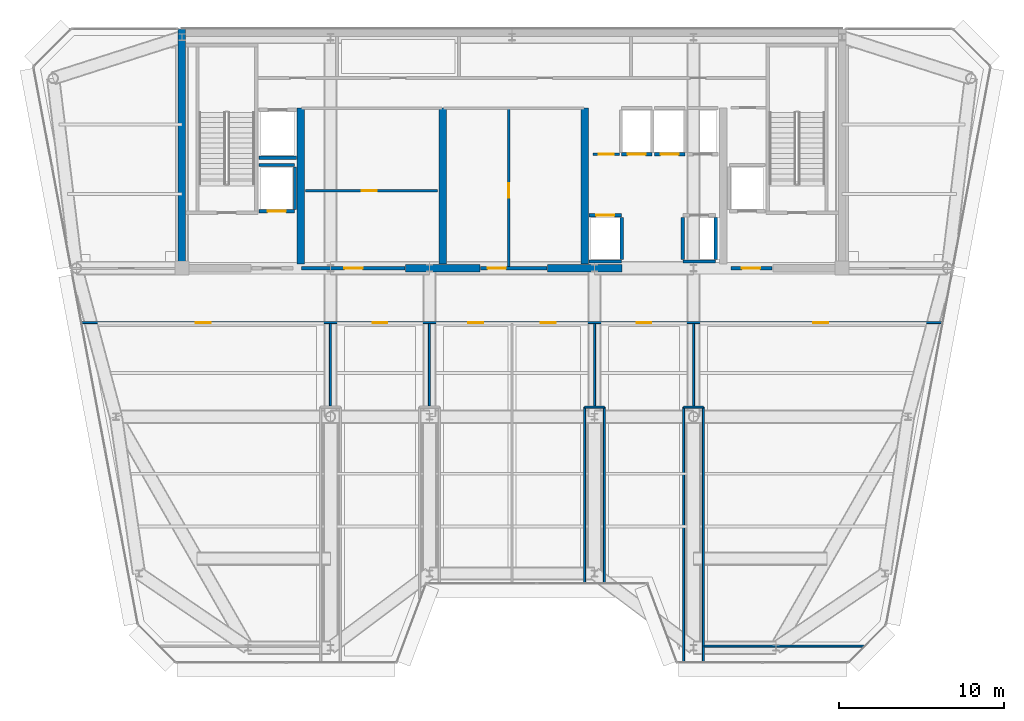
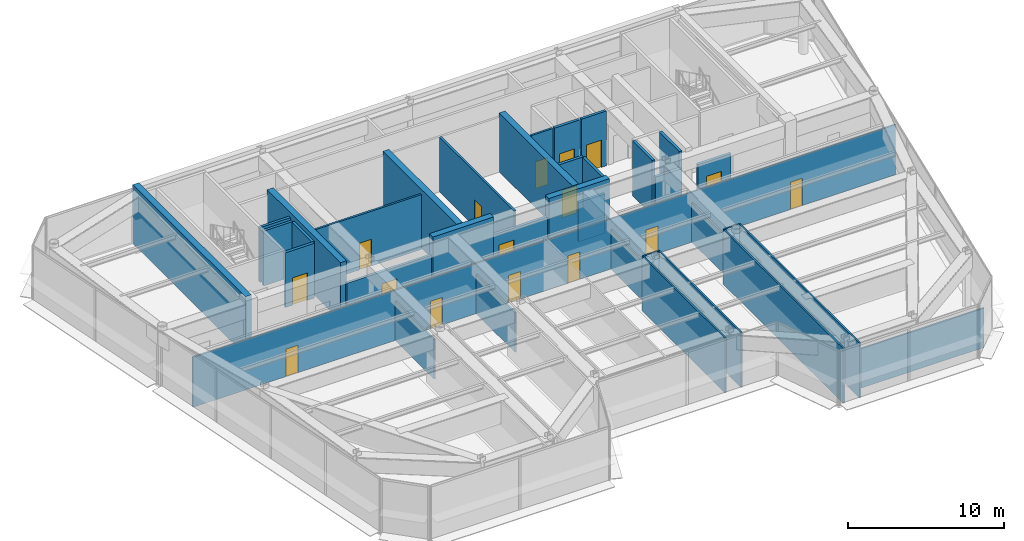
# One storey, part 11 of 20: 36 walls, 16 doors, 16 openings.
"""IFC4 building model written with IfcOpenShell, lengths in metres."""

import ifcopenshell
import ifcopenshell.guid

model = None  # the IFC model being written
_history = None  # IfcOwnerHistory: only IFC2X3 demands one
_inside = {}  # id of a spatial element -> (the spatial element, [elements in it])
_under = {}  # id of a project, library or spatial element -> (it, [spatial elements below it])
_declared = {}  # id of a project -> (the project, [libraries it declares])
_typed = {}  # id of a type object -> (the type object, [elements of that type])
_made_of = {}  # id of a material, layer set ... -> (it, [elements and type objects made of it])


def new_model(schema):
    """Start an empty IFC model of exactly this schema.

    Asked for "IFC4X3", IfcOpenShell would pick the latest addendum, in which some entities
    have other attributes; the version numbers below select the first issue.
    IFC2X3 requires an IfcOwnerHistory on every rooted entity: one is made here for all.
    """
    global model, _history
    if schema == "IFC4X3":
        model = ifcopenshell.file(schema_version=(4, 3, 0, 0))
    else:
        model = ifcopenshell.file(schema=schema)
    _inside.clear()
    _under.clear()
    _declared.clear()
    _typed.clear()
    _made_of.clear()
    _history = None
    if model.schema == "IFC2X3":
        org = make("IfcOrganization", Name="unknown")
        user = make(
            "IfcPersonAndOrganization",
            ThePerson=make("IfcPerson", FamilyName="unknown"),
            TheOrganization=org,
        )
        app = make(
            "IfcApplication",
            ApplicationDeveloper=org,
            Version="unknown",
            ApplicationFullName="unknown",
            ApplicationIdentifier="unknown",
        )
        _history = make(
            "IfcOwnerHistory",
            OwningUser=user,
            OwningApplication=app,
            ChangeAction="ADDED",
            CreationDate=0,
        )
    return model


def make(cls, **values):
    """One entity of the class cls with the attributes given. An attribute that is None is left unset."""
    return model.create_entity(
        cls, **{name: value for name, value in values.items() if value is not None}
    )


def rooted(cls, **values):
    """An entity with a GlobalId (a new one), such as an element, a storey or a relation."""
    return make(cls, GlobalId=ifcopenshell.guid.new(), OwnerHistory=_history, **values)


def si_unit(unit_type, name, prefix=None):
    """IfcSIUnit, for example si_unit("LENGTHUNIT", "METRE", prefix="MILLI")."""
    return make("IfcSIUnit", UnitType=unit_type, Prefix=prefix, Name=name)


def assignment(units):
    """IfcUnitAssignment: the units of a project."""
    return None if units is None else make("IfcUnitAssignment", Units=units)


def point(xyz):
    """IfcCartesianPoint."""
    return None if xyz is None else make("IfcCartesianPoint", Coordinates=xyz)


def direction(xyz):
    """IfcDirection."""
    return None if xyz is None else make("IfcDirection", DirectionRatios=xyz)


def frame(location, z_axis=None, x_axis=None):
    """IfcAxis2Placement3D, a coordinate frame: its origin and axes. An axis left out is left unset."""
    return make(
        "IfcAxis2Placement3D",
        Location=point(location),
        Axis=direction(z_axis),
        RefDirection=direction(x_axis),
    )


def frame_2d(location, x_axis=None):
    """IfcAxis2Placement2D, a coordinate frame in the plane: its origin and x axis."""
    return make(
        "IfcAxis2Placement2D", Location=point(location), RefDirection=direction(x_axis)
    )


def origin():
    """The frame at (0, 0, 0) with its axes left unset."""
    return frame((0.0, 0.0, 0.0))


def place(relative_to, where):
    """IfcLocalPlacement: puts the frame where relative to a parent placement (None: the world)."""
    return make(
        "IfcLocalPlacement", PlacementRelTo=relative_to, RelativePlacement=where
    )


def context(
    kind, dimensions, precision=None, world=None, true_north=None, identifier=None
):
    """IfcGeometricRepresentationContext, for example the 3D "Model" context."""
    return make(
        "IfcGeometricRepresentationContext",
        ContextIdentifier=identifier,
        ContextType=kind,
        CoordinateSpaceDimension=dimensions,
        Precision=precision,
        WorldCoordinateSystem=world,
        TrueNorth=true_north,
    )


def subcontext(parent, identifier, kind, view, scale=None):
    """IfcGeometricRepresentationSubContext, for example "Body" below "Model"."""
    return make(
        "IfcGeometricRepresentationSubContext",
        ContextIdentifier=identifier,
        ContextType=kind,
        ParentContext=parent,
        TargetScale=scale,
        TargetView=view,
    )


def project(units=None, contexts=None):
    """IfcProject with its units and contexts."""
    return rooted(
        "IfcProject",
        Name="project",
        RepresentationContexts=contexts,
        UnitsInContext=assignment(units),
    )


def spatial(cls, under=None, at=None, **own):
    """A site, building, storey or space (cls), placed at a placement, below another one or the project."""
    s = rooted(cls, ObjectPlacement=at, **own)
    if under is not None:
        _under.setdefault(under.id(), (under, []))[1].append(s)
    return s


def profile(cls, at=None, kind="AREA", **sizes):
    """A parametric profile (cls). Its sizes go by their IFC names, for example OverallWidth=200.0."""
    return make(cls, ProfileType=kind, Position=at, **sizes)


def rectangle(**sizes):
    """IfcRectangleProfileDef."""
    return profile("IfcRectangleProfileDef", **sizes)


def extrude(swept, where, along, depth):
    """IfcExtrudedAreaSolid: the profile swept, set in the frame where, extruded along a direction by depth."""
    return make(
        "IfcExtrudedAreaSolid",
        SweptArea=swept,
        Position=where,
        ExtrudedDirection=direction(along),
        Depth=depth,
    )


def shape(context_of_items, identifier, shape_type, items):
    """IfcShapeRepresentation: the items that make up one representation, for example the "Body"."""
    return make(
        "IfcShapeRepresentation",
        ContextOfItems=context_of_items,
        RepresentationIdentifier=identifier,
        RepresentationType=shape_type,
        Items=items,
    )


def source(mapping_origin, context_of_items, identifier, shape_type, items):
    """IfcRepresentationMap: a shape defined once, which mapped items show again and again."""
    return make(
        "IfcRepresentationMap",
        MappingOrigin=mapping_origin,
        MappedRepresentation=shape(context_of_items, identifier, shape_type, items),
    )


def transform(
    local_origin,
    x_axis=None,
    y_axis=None,
    z_axis=None,
    scale=None,
    scale2=None,
    scale3=None,
    uniform=True,
):
    """IfcCartesianTransformationOperator3D, or its non-uniform kind. x_axis, y_axis, z_axis: its Axis1, 2, 3."""
    if uniform:
        return make(
            "IfcCartesianTransformationOperator3D",
            Axis1=direction(x_axis),
            Axis2=direction(y_axis),
            LocalOrigin=point(local_origin),
            Scale=scale,
            Axis3=direction(z_axis),
        )
    return make(
        "IfcCartesianTransformationOperator3DnonUniform",
        Axis1=direction(x_axis),
        Axis2=direction(y_axis),
        LocalOrigin=point(local_origin),
        Scale=scale,
        Axis3=direction(z_axis),
        Scale2=scale2,
        Scale3=scale3,
    )


def mapped(mapping_source, mapping_target):
    """IfcMappedItem: shows the shape of a source again, moved by a transform."""
    return make(
        "IfcMappedItem", MappingSource=mapping_source, MappingTarget=mapping_target
    )


def material(Name=None, Category=None):
    """IfcMaterial."""
    return make("IfcMaterial", Name=Name, Category=Category)


def layer(
    of_material, thickness, ventilated=None, Name=None, Category=None, Priority=None
):
    """IfcMaterialLayer: one layer of a wall or slab, of a material (None: an air gap)."""
    return make(
        "IfcMaterialLayer",
        Material=of_material,
        LayerThickness=thickness,
        IsVentilated=ventilated,
        Name=Name,
        Category=Category,
        Priority=Priority,
    )


def layer_set(layers, Name=None):
    """IfcMaterialLayerSet."""
    return make("IfcMaterialLayerSet", MaterialLayers=layers, LayerSetName=Name)


def made_of(thing, what):
    """Note that an element or type object is made of a material, layer set ...; save() writes the relation."""
    if what is not None:
        _made_of.setdefault(what.id(), (what, []))[1].append(thing)
    return thing


def type_object(cls, material=None, **own):
    """A type object (cls), such as IfcWallType, which elements share."""
    return made_of(rooted(cls, **own), material)


def element(
    cls,
    number,
    at=None,
    inside=None,
    cuts=None,
    type_object=None,
    material=None,
    context=None,
    identifier="Body",
    shape_type=None,
    held_by="IfcProductDefinitionShape",
    body=None,
    shapes=None,
    **own,
):
    """One element of the class cls, such as IfcWall. Its Tag is "e" and its number.

    at: its placement. inside: the storey or other place that contains it. cuts: it is an
    opening in that element (IfcRelVoidsElement). A single representation is given by context,
    identifier, shape_type and body (its items); several are given by shapes. held_by: the class
    of the entity that holds the representations. save() writes the other relations.
    """
    e = rooted(cls, Tag="e%d" % number, ObjectPlacement=at, **own)
    if body is not None:
        shapes = [shape(context, identifier, shape_type, body)]
    if shapes is not None:
        e.Representation = make(held_by, Representations=shapes)
    if inside is not None:
        _inside.setdefault(inside.id(), (inside, []))[1].append(e)
    if cuts is not None:
        rooted(
            "IfcRelVoidsElement", RelatingBuildingElement=cuts, RelatedOpeningElement=e
        )
    if type_object is not None:
        _typed.setdefault(type_object.id(), (type_object, []))[1].append(e)
    return made_of(e, material)


def fill(opening, filler):
    """IfcRelFillsElement: the door or window that sits in an opening."""
    return rooted(
        "IfcRelFillsElement",
        RelatingOpeningElement=opening,
        RelatedBuildingElement=filler,
    )


def aggregate(whole, parts):
    """IfcRelAggregates: a whole, such as a stair, and the parts it consists of."""
    return rooted("IfcRelAggregates", RelatingObject=whole, RelatedObjects=parts)


def save(model, path):
    """Write the relations noted so far, then the file.

    IfcRelAggregates (storeys below a building ...), IfcRelContainedInSpatialStructure (elements
    in a storey), IfcRelDefinesByType, IfcRelAssociatesMaterial and IfcRelDeclares: one each for
    every whole, place, type object, material and project.
    """
    for whole, parts in _under.values():
        aggregate(whole, parts)
    for where, things in _inside.values():
        rooted(
            "IfcRelContainedInSpatialStructure",
            RelatedElements=things,
            RelatingStructure=where,
        )
    for kind, things in _typed.values():
        rooted("IfcRelDefinesByType", RelatedObjects=things, RelatingType=kind)
    for what, things in _made_of.values():
        rooted("IfcRelAssociatesMaterial", RelatedObjects=things, RelatingMaterial=what)
    for by, libraries in _declared.values():
        rooted("IfcRelDeclares", RelatingContext=by, RelatedDefinitions=libraries)
    model.write(path)


model = new_model("IFC4")

# Units and contexts
model_context = context("Model", 3, precision=1e-05, world=origin(), true_north=direction((0.0, 1.0)))
body_context = subcontext(model_context, "Body", "Model", "MODEL_VIEW")
ifc_project = project(units=[si_unit("LENGTHUNIT", "METRE"), si_unit("AREAUNIT", "SQUARE_METRE"), si_unit("VOLUMEUNIT", "CUBIC_METRE"), si_unit("PLANEANGLEUNIT", "RADIAN"), si_unit("MASSUNIT", "GRAM", prefix="KILO")], contexts=[model_context])

# Site, building, storey
site_placement = place(None, origin())
site = spatial("IfcSite", under=ifc_project, at=site_placement, CompositionType="ELEMENT")
building_placement = place(site_placement, origin())
building = spatial("IfcBuilding", under=site, at=building_placement, Name="Vaeldorn Concourse Tower", CompositionType="ELEMENT")
storey_placement = place(building_placement, frame((0.0, 0.0, 299.199951171875)))
storey = spatial("IfcBuildingStorey", under=building, at=storey_placement, Name="L77", CompositionType="ELEMENT", Elevation=299.199951171875)

# Walls
ifc_material_1 = material(Name="Concrete C50/60", Category="concrete")
ifc_layer_1 = layer(ifc_material_1, 0.449951171875)
ifc_layer_set_1 = layer_set([ifc_layer_1], Name="Concrete C50/60")
wall_type_1 = type_object("IfcWallType", Name="WL-CORE-450", PredefinedType="SHEAR", material=ifc_layer_set_1)
wall_1_placement = place(storey_placement, frame((14.0, 36.5, 0.0), z_axis=(0.0, 0.0, 1.0), x_axis=(0.0, 1.0, 0.0)))
element("IfcWall", 1, at=wall_1_placement, inside=storey, type_object=wall_type_1, Name="Rear Core Shear Wall L77 W1", PredefinedType="SHEAR", context=body_context, shape_type="SweptSolid", body=[
    extrude(rectangle(XDim=14.5, YDim=0.449951171875, at=frame_2d((7.25, 0.0))), origin(), (0.0, 0.0, 1.0), 4.60009765625),
])
for number, where, z_axis, x_axis, name in (
    (2, (27.550048828125, 36.5, 0.0), (0.0, 0.0, 1.0), (1.0, 0.0, 0.0), "Rear Core Shear Wall L77 S2"),
    (3, (36.14990234375, 36.5, 0.0), (0.0, 0.0, 1.0), (1.0, 0.0, 0.0), "Rear Core Shear Wall L77 S3"),
):
    element("IfcWall", number, at=place(storey_placement, frame(where, z_axis=z_axis, x_axis=x_axis)), inside=storey, type_object=wall_type_1, Name=name, PredefinedType="SHEAR", context=body_context, shape_type="SweptSolid", body=[
        extrude(rectangle(XDim=4.5, YDim=0.449951171875, at=frame_2d((2.25, 0.0))), origin(), (0.0, 0.0, 1.0), 4.60009765625),
    ])
for number, where, z_axis, x_axis, name in (
    (4, (21.199951171875, 36.7451171875, 0.0), (0.0, 0.0, 1.0), (0.0, 1.0, 0.0), "Rear Core Shear Wall L77 M1"),
    (5, (29.800048828125, 36.7451171875, 0.0), (0.0, 0.0, 1.0), (0.0, 1.0, 0.0), "Rear Core Shear Wall L77 M2"),
    (6, (38.39990234375, 36.7451171875, 0.0), (0.0, 0.0, 1.0), (0.0, 1.0, 0.0), "Rear Core Shear Wall L77 M3"),
):
    element("IfcWall", number, at=place(storey_placement, frame(where, z_axis=z_axis, x_axis=x_axis)), inside=storey, type_object=wall_type_1, Name=name, PredefinedType="SHEAR", context=body_context, shape_type="SweptSolid", body=[
        extrude(rectangle(XDim=9.454833984375, YDim=0.449951171875, at=frame_2d((4.7275390625, 0.0))), origin(), (0.0, 0.0, 1.0), 4.60009765625),
    ])

# Wall, openings, doors
ifc_material_2 = material(Name="Gypsum Board Partition", Category="gypsum")
ifc_layer_2 = layer(ifc_material_2, 0.1201171875)
ifc_layer_set_2 = layer_set([ifc_layer_2], Name="Gypsum Board Partition")
wall_type_2 = type_object("IfcWallType", Name="WL-PART-120", PredefinedType="PARTITIONING", material=ifc_layer_set_2)
wall_2_placement = place(storey_placement, frame((7.945556640625, 33.199951171875, 0.0), z_axis=(0.0, 0.0, 1.0), x_axis=(1.0, 0.0, 0.0)))
wall_2 = element("IfcWall", 7, at=wall_2_placement, inside=storey, type_object=wall_type_2, Name="Interior Wall PW-L77-C2S", PredefinedType="PARTITIONING", context=body_context, shape_type="SweptSolid", body=[
    extrude(rectangle(XDim=52.10888671875, YDim=0.1201171875, at=frame_2d((26.054443359375, 0.0))), origin(), (0.0, 0.0, 1.0), 3.929931640625),
])
opening_1_placement = place(wall_2_placement, frame((6.89697265625, 0.0, 0.0)))
opening_1 = element("IfcOpeningElement", 8, at=opening_1_placement, cuts=wall_2, Name="Opening D-03", PredefinedType="OPENING", context=body_context, shape_type="SweptSolid", body=[
    extrude(rectangle(XDim=0.89990234375, YDim=2.14990234375, at=frame_2d((0.449951171875, 1.074951171875))), frame((0.0, 0.070068359375, 0.0), z_axis=(0.0, -1.0, 0.0), x_axis=(1.0, 0.0, 0.0)), (0.0, 0.0, 1.0), 0.14013671875),
])
opening_2_placement = place(wall_2_placement, frame((17.60400390625, 0.0, 0.0)))
opening_2 = element("IfcOpeningElement", 9, at=opening_2_placement, cuts=wall_2, Name="Opening D-03", PredefinedType="OPENING", context=body_context, shape_type="SweptSolid", body=[
    extrude(rectangle(XDim=0.89990234375, YDim=2.14990234375, at=frame_2d((0.449951171875, 1.074951171875))), frame((0.0, 0.070068359375, 0.0), z_axis=(0.0, -1.0, 0.0), x_axis=(1.0, 0.0, 0.0)), (0.0, 0.0, 1.0), 0.14013671875),
])
opening_3_placement = place(wall_2_placement, frame((23.404052734375, 0.0, 0.0)))
opening_3 = element("IfcOpeningElement", 10, at=opening_3_placement, cuts=wall_2, Name="Opening D-03", PredefinedType="OPENING", context=body_context, shape_type="SweptSolid", body=[
    extrude(rectangle(XDim=0.89990234375, YDim=2.14990234375, at=frame_2d((0.449951171875, 1.074951171875))), frame((0.0, 0.070068359375, 0.0), z_axis=(0.0, -1.0, 0.0), x_axis=(1.0, 0.0, 0.0)), (0.0, 0.0, 1.0), 0.14013671875),
])
opening_4_placement = place(wall_2_placement, frame((27.803955078125, 0.0, 0.0)))
opening_4 = element("IfcOpeningElement", 11, at=opening_4_placement, cuts=wall_2, Name="Opening D-03", PredefinedType="OPENING", context=body_context, shape_type="SweptSolid", body=[
    extrude(rectangle(XDim=0.89990234375, YDim=2.14990234375, at=frame_2d((0.449951171875, 1.074951171875))), frame((0.0, 0.070068359375, 0.0), z_axis=(0.0, -1.0, 0.0), x_axis=(1.0, 0.0, 0.0)), (0.0, 0.0, 1.0), 0.14013671875),
])
opening_5_placement = place(wall_2_placement, frame((33.60400390625, 0.0, 0.0)))
opening_5 = element("IfcOpeningElement", 12, at=opening_5_placement, cuts=wall_2, Name="Opening D-03", PredefinedType="OPENING", context=body_context, shape_type="SweptSolid", body=[
    extrude(rectangle(XDim=0.89990234375, YDim=2.14990234375, at=frame_2d((0.449951171875, 1.074951171875))), frame((0.0, 0.070068359375, 0.0), z_axis=(0.0, -1.0, 0.0), x_axis=(1.0, 0.0, 0.0)), (0.0, 0.0, 1.0), 0.14013671875),
])
opening_6_placement = place(wall_2_placement, frame((44.31201171875, 0.0, 0.0)))
opening_6 = element("IfcOpeningElement", 13, at=opening_6_placement, cuts=wall_2, Name="Opening D-03", PredefinedType="OPENING", context=body_context, shape_type="SweptSolid", body=[
    extrude(rectangle(XDim=0.89990234375, YDim=2.14990234375, at=frame_2d((0.449951171875, 1.074951171875))), frame((0.0, 0.070068359375, 0.0), z_axis=(0.0, -1.0, 0.0), x_axis=(1.0, 0.0, 0.0)), (0.0, 0.0, 1.0), 0.14013671875),
])
ifc_material_3 = material(Name="Acoustic Bronze-Framed Glass Door", Category="glass")
door_type_1 = type_object("IfcDoorType", Name="DR-INT-900", OperationType="NOTDEFINED", PredefinedType="DOOR", material=ifc_material_3)
shared_shape_1 = source(origin(), body_context, "Body", "SweptSolid", [
    extrude(rectangle(XDim=0.89990234375, YDim=2.14990234375, at=frame_2d((0.449951171875, 1.074951171875))), frame((0.0, 0.02490234375, 0.0), z_axis=(0.0, -1.0, 0.0), x_axis=(1.0, 0.0, 0.0)), (0.0, 0.0, 1.0), 0.050048828125),
])
door_1_placement = place(opening_1_placement, origin())
door_1 = element("IfcDoor", 14, at=door_1_placement, inside=storey, type_object=door_type_1, Name="Interior Door DR-L77-SBR1", OperationType="SINGLE_SWING_LEFT", OverallHeight=2.14990234375, OverallWidth=0.89990234375, PredefinedType="DOOR", context=body_context, shape_type="MappedRepresentation", body=[
    mapped(shared_shape_1, transform((0.0, 0.0, 0.0), scale=1.0)),
])
fill(opening_1, door_1)
door_2_placement = place(opening_2_placement, origin())
door_2 = element("IfcDoor", 15, at=door_2_placement, inside=storey, type_object=door_type_1, Name="Interior Door DR-L77-SBR2", OperationType="SINGLE_SWING_RIGHT", OverallHeight=2.14990234375, OverallWidth=0.89990234375, PredefinedType="DOOR", context=body_context, shape_type="MappedRepresentation", body=[
    mapped(shared_shape_1, transform((0.0, 0.0, 0.0), scale=1.0)),
])
fill(opening_2, door_2)
door_3_placement = place(opening_3_placement, origin())
door_3 = element("IfcDoor", 16, at=door_3_placement, inside=storey, type_object=door_type_1, Name="Interior Door DR-L77-SBR3", OperationType="SINGLE_SWING_LEFT", OverallHeight=2.14990234375, OverallWidth=0.89990234375, PredefinedType="DOOR", context=body_context, shape_type="MappedRepresentation", body=[
    mapped(shared_shape_1, transform((0.0, 0.0, 0.0), scale=1.0)),
])
fill(opening_3, door_3)
door_4_placement = place(opening_4_placement, origin())
door_4 = element("IfcDoor", 17, at=door_4_placement, inside=storey, type_object=door_type_1, Name="Interior Door DR-L77-SBR4", OperationType="SINGLE_SWING_RIGHT", OverallHeight=2.14990234375, OverallWidth=0.89990234375, PredefinedType="DOOR", context=body_context, shape_type="MappedRepresentation", body=[
    mapped(shared_shape_1, transform((0.0, 0.0, 0.0), scale=1.0)),
])
fill(opening_4, door_4)
door_5_placement = place(opening_5_placement, origin())
door_5 = element("IfcDoor", 18, at=door_5_placement, inside=storey, type_object=door_type_1, Name="Interior Door DR-L77-SBR5", OperationType="SINGLE_SWING_LEFT", OverallHeight=2.14990234375, OverallWidth=0.89990234375, PredefinedType="DOOR", context=body_context, shape_type="MappedRepresentation", body=[
    mapped(shared_shape_1, transform((0.0, 0.0, 0.0), scale=1.0)),
])
fill(opening_5, door_5)
door_6_placement = place(opening_6_placement, origin())
door_6 = element("IfcDoor", 19, at=door_6_placement, inside=storey, type_object=door_type_1, Name="Interior Door DR-L77-SBR6", OperationType="SINGLE_SWING_RIGHT", OverallHeight=2.14990234375, OverallWidth=0.89990234375, PredefinedType="DOOR", context=body_context, shape_type="MappedRepresentation", body=[
    mapped(shared_shape_1, transform((0.0, 0.0, 0.0), scale=1.0)),
])
fill(opening_6, door_6)

# Walls
wall_3_placement = place(storey_placement, frame((45.639892578125, 13.60009765625, 0.0), z_axis=(0.0, 0.0, 1.0), x_axis=(1.0, 0.0, 0.0)))
element("IfcWall", 20, at=wall_3_placement, inside=storey, type_object=wall_type_2, Name="Interior Wall PW-L77-FLE", PredefinedType="PARTITIONING", context=body_context, shape_type="SweptSolid", body=[
    extrude(rectangle(XDim=9.68408203125, YDim=0.1201171875, at=frame_2d((4.842041015625, 0.0))), origin(), (0.0, 0.0, 1.0), 3.090087890625),
])
for number, where, z_axis, x_axis, name in (
    (21, (23.0, 28.139892578125, 0.0), (0.0, 0.0, 1.0), (0.0, 1.0, 0.0), "Interior Wall PW-L77-SBP1"),
    (22, (29.0, 28.139892578125, 0.0), (0.0, 0.0, 1.0), (0.0, 1.0, 0.0), "Interior Wall PW-L77-SBP2"),
):
    element("IfcWall", number, at=place(storey_placement, frame(where, z_axis=z_axis, x_axis=x_axis)), inside=storey, type_object=wall_type_2, Name=name, PredefinedType="PARTITIONING", context=body_context, shape_type="SweptSolid", body=[
        extrude(rectangle(XDim=5.0, YDim=0.1201171875, at=frame_2d((2.5, 0.0))), origin(), (0.0, 0.0, 1.0), 3.090087890625),
    ])
for number, where, z_axis, x_axis, name in (
    (23, (38.39990234375, 17.43994140625, 0.0), (0.0, 0.0, 1.0), (0.0, 1.0, 0.0), "Interior Wall PW-L77-SB3W"),
    (24, (39.60009765625, 17.43994140625, 0.0), (0.0, 0.0, 1.0), (0.0, 1.0, 0.0), "Interior Wall PW-L77-SB3E"),
):
    element("IfcWall", number, at=place(storey_placement, frame(where, z_axis=z_axis, x_axis=x_axis)), inside=storey, type_object=wall_type_2, Name=name, PredefinedType="PARTITIONING", context=body_context, shape_type="SweptSolid", body=[
        extrude(rectangle(XDim=10.64013671875, YDim=0.1201171875, at=frame_2d((5.320068359375, 0.0))), origin(), (0.0, 0.0, 1.0), 4.300048828125),
    ])
wall_4_placement = place(storey_placement, frame((38.39990234375, 28.080078125, 0.0), z_axis=(0.0, 0.0, 1.0), x_axis=(1.0, 0.0, 0.0)))
element("IfcWall", 25, at=wall_4_placement, inside=storey, type_object=wall_type_2, Name="Interior Wall PW-L77-SB3N", PredefinedType="PARTITIONING", context=body_context, shape_type="SweptSolid", body=[
    extrude(rectangle(XDim=1.2001953125, YDim=0.1201171875, at=frame_2d((0.60009765625, 0.0))), origin(), (0.0, 0.0, 1.0), 4.300048828125),
])
wall_5_placement = place(storey_placement, frame((39.0, 28.139892578125, 0.0), z_axis=(0.0, 0.0, 1.0), x_axis=(0.0, 1.0, 0.0)))
element("IfcWall", 26, at=wall_5_placement, inside=storey, type_object=wall_type_2, Name="Interior Wall PW-L77-SBP3", PredefinedType="PARTITIONING", context=body_context, shape_type="SweptSolid", body=[
    extrude(rectangle(XDim=5.0, YDim=0.1201171875, at=frame_2d((2.5, 0.0))), origin(), (0.0, 0.0, 1.0), 3.090087890625),
])
for number, where, z_axis, x_axis, name in (
    (27, (44.39990234375, 12.639892578125, 0.0), (0.0, 0.0, 1.0), (0.0, 1.0, 0.0), "Interior Wall PW-L77-SB4W"),
    (28, (45.60009765625, 12.639892578125, 0.0), (0.0, 0.0, 1.0), (0.0, 1.0, 0.0), "Interior Wall PW-L77-SB4E"),
):
    element("IfcWall", number, at=place(storey_placement, frame(where, z_axis=z_axis, x_axis=x_axis)), inside=storey, type_object=wall_type_2, Name=name, PredefinedType="PARTITIONING", context=body_context, shape_type="SweptSolid", body=[
        extrude(rectangle(XDim=15.440185546875, YDim=0.1201171875, at=frame_2d((7.72021484375, 0.0))), origin(), (0.0, 0.0, 1.0), 4.300048828125),
    ])
wall_6_placement = place(storey_placement, frame((44.39990234375, 28.080078125, 0.0), z_axis=(0.0, 0.0, 1.0), x_axis=(1.0, 0.0, 0.0)))
element("IfcWall", 29, at=wall_6_placement, inside=storey, type_object=wall_type_2, Name="Interior Wall PW-L77-SB4N", PredefinedType="PARTITIONING", context=body_context, shape_type="SweptSolid", body=[
    extrude(rectangle(XDim=1.2001953125, YDim=0.1201171875, at=frame_2d((0.60009765625, 0.0))), origin(), (0.0, 0.0, 1.0), 4.300048828125),
])
wall_7_placement = place(storey_placement, frame((45.0, 28.139892578125, 0.0), z_axis=(0.0, 0.0, 1.0), x_axis=(0.0, 1.0, 0.0)))
element("IfcWall", 30, at=wall_7_placement, inside=storey, type_object=wall_type_2, Name="Interior Wall PW-L77-SBP4", PredefinedType="PARTITIONING", context=body_context, shape_type="SweptSolid", body=[
    extrude(rectangle(XDim=5.0, YDim=0.1201171875, at=frame_2d((2.5, 0.0))), origin(), (0.0, 0.0, 1.0), 3.090087890625),
])

# Wall, opening, door
ifc_layer_3 = layer(ifc_material_2, 0.14990234375)
ifc_layer_set_3 = layer_set([ifc_layer_3], Name="Gypsum Board Partition")
wall_type_3 = type_object("IfcWallType", Name="WL-PART-150", PredefinedType="PARTITIONING", material=ifc_layer_set_3)
wall_8_placement = place(storey_placement, frame((21.5, 41.199951171875, 0.0), z_axis=(0.0, 0.0, 1.0), x_axis=(1.0, 0.0, 0.0)))
wall_8 = element("IfcWall", 31, at=wall_8_placement, inside=storey, type_object=wall_type_3, Name="Interior Wall CW-L77-R1M", PredefinedType="PARTITIONING", context=body_context, shape_type="SweptSolid", body=[
    extrude(rectangle(XDim=8.0, YDim=0.14990234375, at=frame_2d((4.0, 0.0))), origin(), (0.0, 0.0, 1.0), 4.300048828125),
])
opening_7_placement = place(wall_8_placement, frame((3.39990234375, 0.0, 0.0)))
opening_7 = element("IfcOpeningElement", 32, at=opening_7_placement, cuts=wall_8, Name="Opening D-02", PredefinedType="OPENING", context=body_context, shape_type="SweptSolid", body=[
    extrude(rectangle(XDim=0.89990234375, YDim=2.10009765625, at=frame_2d((0.449951171875, 1.050048828125))), frame((0.0, 0.0849609375, 0.0), z_axis=(0.0, -1.0, 0.0), x_axis=(1.0, 0.0, 0.0)), (0.0, 0.0, 1.0), 0.169921875),
])
ifc_material_4 = material(Name="Fire-Rated Timber Leaf", Category="wood")
door_type_2 = type_object("IfcDoorType", Name="DR-FD30-900", OperationType="NOTDEFINED", PredefinedType="DOOR", material=ifc_material_4)
shared_shape_2 = source(origin(), body_context, "Body", "SweptSolid", [
    extrude(rectangle(XDim=0.89990234375, YDim=2.10009765625, at=frame_2d((0.449951171875, 1.050048828125))), frame((0.0, 0.02490234375, 0.0), z_axis=(0.0, -1.0, 0.0), x_axis=(1.0, 0.0, 0.0)), (0.0, 0.0, 1.0), 0.050048828125),
])
door_7_placement = place(opening_7_placement, origin())
door_7 = element("IfcDoor", 33, at=door_7_placement, inside=storey, type_object=door_type_2, Name="Interior Door DR-L77-R1M", OperationType="SINGLE_SWING_RIGHT", OverallHeight=2.10009765625, OverallWidth=0.89990234375, PredefinedType="DOOR", context=body_context, shape_type="MappedRepresentation", body=[
    mapped(shared_shape_2, transform((0.0, 0.0, 0.0), scale=1.0)),
])
fill(opening_7, door_7)

wall_9_placement = place(storey_placement, frame((33.800048828125, 36.56005859375, 0.0), z_axis=(0.0, 0.0, 1.0), x_axis=(0.0, 1.0, 0.0)))
wall_9 = element("IfcWall", 34, at=wall_9_placement, inside=storey, type_object=wall_type_3, Name="Interior Wall CW-L77-R2M", PredefinedType="PARTITIONING", context=body_context, shape_type="SweptSolid", body=[
    extrude(rectangle(XDim=9.579833984375, YDim=0.14990234375, at=frame_2d((4.7900390625, 0.0))), origin(), (0.0, 0.0, 1.0), 4.300048828125),
])
opening_8_placement = place(wall_9_placement, frame((4.199951171875, 0.0, 0.0)))
opening_8 = element("IfcOpeningElement", 35, at=opening_8_placement, cuts=wall_9, Name="Opening D-02", PredefinedType="OPENING", context=body_context, shape_type="SweptSolid", body=[
    extrude(rectangle(XDim=0.89990234375, YDim=2.10009765625, at=frame_2d((0.449951171875, 1.050048828125))), frame((0.0, 0.0849609375, 0.0), z_axis=(0.0, -1.0, 0.0), x_axis=(1.0, 0.0, 0.0)), (0.0, 0.0, 1.0), 0.169921875),
])
door_8_placement = place(opening_8_placement, origin())
door_8 = element("IfcDoor", 36, at=door_8_placement, inside=storey, type_object=door_type_2, Name="Interior Door DR-L77-R2E", OperationType="SINGLE_SWING_RIGHT", OverallHeight=2.10009765625, OverallWidth=0.89990234375, PredefinedType="DOOR", context=body_context, shape_type="MappedRepresentation", body=[
    mapped(shared_shape_2, transform((0.0, 0.0, 0.0), scale=1.0)),
])
fill(opening_8, door_8)

wall_10_placement = place(storey_placement, frame((38.919921875, 43.39990234375, 0.0), z_axis=(0.0, 0.0, 1.0), x_axis=(1.0, 0.0, 0.0)))
wall_10 = element("IfcWall", 37, at=wall_10_placement, inside=storey, type_object=wall_type_3, Name="Interior Wall CW-L77-CCLINK", PredefinedType="PARTITIONING", context=body_context, shape_type="SweptSolid", body=[
    extrude(rectangle(XDim=1.60009765625, YDim=0.14990234375, at=frame_2d((0.800048828125, 0.0))), origin(), (0.0, 0.0, 1.0), 4.300048828125),
])
opening_9_placement = place(wall_10_placement, frame((0.35009765625, 0.0, 0.0)))
opening_9 = element("IfcOpeningElement", 38, at=opening_9_placement, cuts=wall_10, Name="Opening D-02", PredefinedType="OPENING", context=body_context, shape_type="SweptSolid", body=[
    extrude(rectangle(XDim=0.89990234375, YDim=2.10009765625, at=frame_2d((0.449951171875, 1.050048828125))), frame((0.0, 0.0849609375, 0.0), z_axis=(0.0, -1.0, 0.0), x_axis=(1.0, 0.0, 0.0)), (0.0, 0.0, 1.0), 0.169921875),
])
door_9_placement = place(opening_9_placement, origin())
door_9 = element("IfcDoor", 39, at=door_9_placement, inside=storey, type_object=door_type_2, Name="Interior Door DR-L77-CCLINK", OperationType="SINGLE_SWING_LEFT", OverallHeight=2.10009765625, OverallWidth=0.89990234375, PredefinedType="DOOR", context=body_context, shape_type="MappedRepresentation", body=[
    mapped(shared_shape_2, transform((0.0, 0.0, 0.0), scale=1.0)),
])
fill(opening_9, door_9)

ifc_layer_4 = layer(ifc_material_1, 0.199951171875)
ifc_layer_set_4 = layer_set([ifc_layer_4], Name="Concrete C50/60")
wall_type_4 = type_object("IfcWallType", Name="WL-SHAFT-200", PredefinedType="SOLIDWALL", material=ifc_layer_set_4)
wall_11_placement = place(storey_placement, frame((47.280029296875, 36.5, 0.0), z_axis=(0.0, 0.0, 1.0), x_axis=(1.0, 0.0, 0.0)))
wall_11 = element("IfcWall", 40, at=wall_11_placement, inside=storey, type_object=wall_type_4, Name="Interior Wall CW-L77-FF2S", PredefinedType="SOLIDWALL", context=body_context, shape_type="SweptSolid", body=[
    extrude(rectangle(XDim=2.469970703125, YDim=0.199951171875, at=frame_2d((1.23486328125, 0.0))), origin(), (0.0, 0.0, 1.0), 3.2900390625),
])
opening_10_placement = place(wall_11_placement, frame((0.64990234375, 0.0, 0.0)))
opening_10 = element("IfcOpeningElement", 41, at=opening_10_placement, cuts=wall_11, Name="Opening D-01", PredefinedType="OPENING", context=body_context, shape_type="SweptSolid", body=[
    extrude(rectangle(XDim=1.10009765625, YDim=2.14990234375, at=frame_2d((0.550048828125, 1.074951171875))), frame((0.0, 0.10986328125, 0.0), z_axis=(0.0, -1.0, 0.0), x_axis=(1.0, 0.0, 0.0)), (0.0, 0.0, 1.0), 0.219970703125),
])
ifc_material_5 = material(Name="Fire-Rated Timber and Steel Leaf", Category="steel")
door_type_3 = type_object("IfcDoorType", Name="DR-FD60-1100", OperationType="NOTDEFINED", PredefinedType="DOOR", material=ifc_material_5)
shared_shape_3 = source(origin(), body_context, "Body", "SweptSolid", [
    extrude(rectangle(XDim=1.10009765625, YDim=2.14990234375, at=frame_2d((0.550048828125, 1.074951171875))), frame((0.0, 0.02490234375, 0.0), z_axis=(0.0, -1.0, 0.0), x_axis=(1.0, 0.0, 0.0)), (0.0, 0.0, 1.0), 0.050048828125),
])
door_10_placement = place(opening_10_placement, origin())
door_10 = element("IfcDoor", 42, at=door_10_placement, inside=storey, type_object=door_type_3, Name="Interior Door DR-L77-FF2W", OperationType="SINGLE_SWING_LEFT", OverallHeight=2.14990234375, OverallWidth=1.10009765625, PredefinedType="DOOR", context=body_context, shape_type="MappedRepresentation", body=[
    mapped(shared_shape_3, transform((0.0, 0.0, 0.0), scale=1.0)),
])
fill(opening_10, door_10)

wall_12_placement = place(storey_placement, frame((38.669921875, 39.699951171875, 0.0), z_axis=(0.0, 0.0, 1.0), x_axis=(1.0, 0.0, 0.0)))
wall_12 = element("IfcWall", 43, at=wall_12_placement, inside=storey, type_object=wall_type_4, Name="Interior Wall CW-L77-LF-LF-13", PredefinedType="SOLIDWALL", context=body_context, shape_type="SweptSolid", body=[
    extrude(rectangle(XDim=1.9599609375, YDim=0.199951171875, at=frame_2d((0.97998046875, 0.0))), origin(), (0.0, 0.0, 1.0), 4.300048828125),
])
opening_11_placement = place(wall_12_placement, frame((0.429931640625, 0.0, 0.0)))
opening_11 = element("IfcOpeningElement", 44, at=opening_11_placement, cuts=wall_12, Name="Opening LD-1", PredefinedType="OPENING", context=body_context, shape_type="SweptSolid", body=[
    extrude(rectangle(XDim=1.10009765625, YDim=2.14990234375, at=frame_2d((0.550048828125, 1.074951171875))), frame((0.0, 0.10986328125, 0.0), z_axis=(0.0, -1.0, 0.0), x_axis=(1.0, 0.0, 0.0)), (0.0, 0.0, 1.0), 0.219970703125),
])
ifc_material_6 = material(Name="Anodised Bronze Aluminium", Category="aluminium")
door_type_4 = type_object("IfcDoorType", Name="DR-LIFT-SLIDE-1100", OperationType="DOUBLE_DOOR_SLIDING", PredefinedType="DOOR", material=ifc_material_6)
door_11_placement = place(opening_11_placement, origin())
door_11 = element("IfcDoor", 45, at=door_11_placement, inside=storey, type_object=door_type_4, Name="Lift Landing Door LD-L77-LF-13", OperationType="DOUBLE_DOOR_SLIDING", OverallHeight=2.14990234375, OverallWidth=1.10009765625, PredefinedType="DOOR", context=body_context, shape_type="MappedRepresentation", body=[
    mapped(shared_shape_3, transform((0.0, 0.0, 0.0), scale=1.0)),
])
fill(opening_11, door_11)

# Walls
wall_13_placement = place(storey_placement, frame((38.669921875, 36.89990234375, 0.0), z_axis=(0.0, 0.0, 1.0), x_axis=(1.0, 0.0, 0.0)))
element("IfcWall", 46, at=wall_13_placement, inside=storey, type_object=wall_type_4, Name="Interior Wall CW-L77-LFB-LF-13", PredefinedType="SOLIDWALL", context=body_context, shape_type="SweptSolid", body=[
    extrude(rectangle(XDim=1.9599609375, YDim=0.199951171875, at=frame_2d((0.97998046875, 0.0))), origin(), (0.0, 0.0, 1.0), 3.090087890625),
])
wall_14_placement = place(storey_placement, frame((40.64990234375, 37.02001953125, 0.0), z_axis=(0.0, 0.0, 1.0), x_axis=(0.0, 1.0, 0.0)))
element("IfcWall", 47, at=wall_14_placement, inside=storey, type_object=wall_type_4, Name="Interior Wall CW-L77-LFE-LF-13", PredefinedType="SOLIDWALL", context=body_context, shape_type="SweptSolid", body=[
    extrude(rectangle(XDim=2.56005859375, YDim=0.199951171875, at=frame_2d((1.280029296875, 0.0))), origin(), (0.0, 0.0, 1.0), 4.300048828125),
])
wall_15_placement = place(storey_placement, frame((44.3701171875, 36.89990234375, 0.0), z_axis=(0.0, 0.0, 1.0), x_axis=(1.0, 0.0, 0.0)))
element("IfcWall", 48, at=wall_15_placement, inside=storey, type_object=wall_type_4, Name="Interior Wall CW-L77-LFB-LF-14", PredefinedType="SOLIDWALL", context=body_context, shape_type="SweptSolid", body=[
    extrude(rectangle(XDim=1.9599609375, YDim=0.199951171875, at=frame_2d((0.97998046875, 0.0))), origin(), (0.0, 0.0, 1.0), 3.090087890625),
])
for number, where, z_axis, x_axis, name in (
    (49, (44.35009765625, 37.02001953125, 0.0), (0.0, 0.0, 1.0), (0.0, 1.0, 0.0), "Interior Wall CW-L77-LFW-LF-14"),
    (50, (46.35009765625, 37.02001953125, 0.0), (0.0, 0.0, 1.0), (0.0, 1.0, 0.0), "Interior Wall CW-L77-LFE-LF-14"),
):
    element("IfcWall", number, at=place(storey_placement, frame(where, z_axis=z_axis, x_axis=x_axis)), inside=storey, type_object=wall_type_4, Name=name, PredefinedType="SOLIDWALL", context=body_context, shape_type="SweptSolid", body=[
        extrude(rectangle(XDim=2.56005859375, YDim=0.199951171875, at=frame_2d((1.280029296875, 0.0))), origin(), (0.0, 0.0, 1.0), 4.300048828125),
    ])

# Wall, opening, door
wall_16_placement = place(storey_placement, frame((40.6201171875, 43.39990234375, 0.0), z_axis=(0.0, 0.0, 1.0), x_axis=(1.0, 0.0, 0.0)))
wall_16 = element("IfcWall", 51, at=wall_16_placement, inside=storey, type_object=wall_type_4, Name="Interior Wall CW-L77-LF-LF-15", PredefinedType="SOLIDWALL", context=body_context, shape_type="SweptSolid", body=[
    extrude(rectangle(XDim=1.85986328125, YDim=0.199951171875, at=frame_2d((0.929931640625, 0.0))), origin(), (0.0, 0.0, 1.0), 4.300048828125),
])
opening_12_placement = place(wall_16_placement, frame((0.3798828125, 0.0, 0.0)))
opening_12 = element("IfcOpeningElement", 52, at=opening_12_placement, cuts=wall_16, Name="Opening LD-1", PredefinedType="OPENING", context=body_context, shape_type="SweptSolid", body=[
    extrude(rectangle(XDim=1.10009765625, YDim=2.14990234375, at=frame_2d((0.550048828125, 1.074951171875))), frame((0.0, 0.10986328125, 0.0), z_axis=(0.0, -1.0, 0.0), x_axis=(1.0, 0.0, 0.0)), (0.0, 0.0, 1.0), 0.219970703125),
])
door_12_placement = place(opening_12_placement, origin())
door_12 = element("IfcDoor", 53, at=door_12_placement, inside=storey, type_object=door_type_4, Name="Lift Landing Door LD-L77-LF-15", OperationType="DOUBLE_DOOR_SLIDING", OverallHeight=2.14990234375, OverallWidth=1.10009765625, PredefinedType="DOOR", context=body_context, shape_type="MappedRepresentation", body=[
    mapped(shared_shape_3, transform((0.0, 0.0, 0.0), scale=1.0)),
])
fill(opening_12, door_12)

wall_17_placement = place(storey_placement, frame((42.6201171875, 43.39990234375, 0.0), z_axis=(0.0, 0.0, 1.0), x_axis=(1.0, 0.0, 0.0)))
wall_17 = element("IfcWall", 54, at=wall_17_placement, inside=storey, type_object=wall_type_4, Name="Interior Wall CW-L77-LF-LF-16", PredefinedType="SOLIDWALL", context=body_context, shape_type="SweptSolid", body=[
    extrude(rectangle(XDim=1.85986328125, YDim=0.199951171875, at=frame_2d((0.929931640625, 0.0))), origin(), (0.0, 0.0, 1.0), 4.300048828125),
])
opening_13_placement = place(wall_17_placement, frame((0.3798828125, 0.0, 0.0)))
opening_13 = element("IfcOpeningElement", 55, at=opening_13_placement, cuts=wall_17, Name="Opening LD-1", PredefinedType="OPENING", context=body_context, shape_type="SweptSolid", body=[
    extrude(rectangle(XDim=1.10009765625, YDim=2.14990234375, at=frame_2d((0.550048828125, 1.074951171875))), frame((0.0, 0.10986328125, 0.0), z_axis=(0.0, -1.0, 0.0), x_axis=(1.0, 0.0, 0.0)), (0.0, 0.0, 1.0), 0.219970703125),
])
door_13_placement = place(opening_13_placement, origin())
door_13 = element("IfcDoor", 56, at=door_13_placement, inside=storey, type_object=door_type_4, Name="Lift Landing Door LD-L77-LF-16", OperationType="DOUBLE_DOOR_SLIDING", OverallHeight=2.14990234375, OverallWidth=1.10009765625, PredefinedType="DOOR", context=body_context, shape_type="MappedRepresentation", body=[
    mapped(shared_shape_3, transform((0.0, 0.0, 0.0), scale=1.0)),
])
fill(opening_13, door_13)

# Wall
wall_18_placement = place(storey_placement, frame((18.669921875, 43.199951171875, 0.0), z_axis=(0.0, 0.0, 1.0), x_axis=(1.0, 0.0, 0.0)))
element("IfcWall", 57, at=wall_18_placement, inside=storey, type_object=wall_type_4, Name="Interior Wall CW-L77-LFB-LF-SV1", PredefinedType="SOLIDWALL", context=body_context, shape_type="SweptSolid", body=[
    extrude(rectangle(XDim=2.260009765625, YDim=0.199951171875, at=frame_2d((1.1298828125, 0.0))), origin(), (0.0, 0.0, 1.0), 4.300048828125),
])

# Wall, opening, door
wall_19_placement = place(storey_placement, frame((18.669921875, 39.949951171875, 0.0), z_axis=(0.0, 0.0, 1.0), x_axis=(1.0, 0.0, 0.0)))
wall_19 = element("IfcWall", 58, at=wall_19_placement, inside=storey, type_object=wall_type_4, Name="Interior Wall CW-L77-LF-LF-FF1", PredefinedType="SOLIDWALL", context=body_context, shape_type="SweptSolid", body=[
    extrude(rectangle(XDim=2.16015625, YDim=0.199951171875, at=frame_2d((1.080078125, 0.0))), origin(), (0.0, 0.0, 1.0), 4.300048828125),
])
opening_14_placement = place(wall_19_placement, frame((0.530029296875, 0.0, 0.0)))
opening_14 = element("IfcOpeningElement", 59, at=opening_14_placement, cuts=wall_19, Name="Opening LD-1", PredefinedType="OPENING", context=body_context, shape_type="SweptSolid", body=[
    extrude(rectangle(XDim=1.10009765625, YDim=2.14990234375, at=frame_2d((0.550048828125, 1.074951171875))), frame((0.0, 0.10986328125, 0.0), z_axis=(0.0, -1.0, 0.0), x_axis=(1.0, 0.0, 0.0)), (0.0, 0.0, 1.0), 0.219970703125),
])
door_14_placement = place(opening_14_placement, origin())
door_14 = element("IfcDoor", 60, at=door_14_placement, inside=storey, type_object=door_type_4, Name="Lift Landing Door LD-L77-LF-FF1", OperationType="DOUBLE_DOOR_SLIDING", OverallHeight=2.14990234375, OverallWidth=1.10009765625, PredefinedType="DOOR", context=body_context, shape_type="MappedRepresentation", body=[
    mapped(shared_shape_3, transform((0.0, 0.0, 0.0), scale=1.0)),
])
fill(opening_14, door_14)

# Walls
wall_20_placement = place(storey_placement, frame((18.669921875, 42.75, 0.0), z_axis=(0.0, 0.0, 1.0), x_axis=(1.0, 0.0, 0.0)))
element("IfcWall", 61, at=wall_20_placement, inside=storey, type_object=wall_type_4, Name="Interior Wall CW-L77-LFB-LF-FF1", PredefinedType="SOLIDWALL", context=body_context, shape_type="SweptSolid", body=[
    extrude(rectangle(XDim=2.16015625, YDim=0.199951171875, at=frame_2d((1.080078125, 0.0))), origin(), (0.0, 0.0, 1.0), 4.300048828125),
])
wall_21_placement = place(storey_placement, frame((20.85009765625, 40.070068359375, 0.0), z_axis=(0.0, 0.0, 1.0), x_axis=(0.0, 1.0, 0.0)))
element("IfcWall", 62, at=wall_21_placement, inside=storey, type_object=wall_type_4, Name="Interior Wall CW-L77-LFE-LF-FF1", PredefinedType="SOLIDWALL", context=body_context, shape_type="SweptSolid", body=[
    extrude(rectangle(XDim=2.559814453125, YDim=0.199951171875, at=frame_2d((1.27978515625, 0.0))), origin(), (0.0, 0.0, 1.0), 4.300048828125),
])

# Wall, opening, door
wall_22_placement = place(storey_placement, frame((21.25, 36.5, 0.0), z_axis=(0.0, 0.0, 1.0), x_axis=(1.0, 0.0, 0.0)))
wall_22 = element("IfcWall", 63, at=wall_22_placement, inside=storey, type_object=wall_type_4, Name="Interior Wall CW-L77-R1S", PredefinedType="SOLIDWALL", context=body_context, shape_type="SweptSolid", body=[
    extrude(rectangle(XDim=6.27001953125, YDim=0.199951171875, at=frame_2d((3.135009765625, 0.0))), origin(), (0.0, 0.0, 1.0), 3.090087890625),
])
opening_15_placement = place(wall_22_placement, frame((2.60009765625, 0.0, 0.0)))
opening_15 = element("IfcOpeningElement", 64, at=opening_15_placement, cuts=wall_22, Name="Opening D-01", PredefinedType="OPENING", context=body_context, shape_type="SweptSolid", body=[
    extrude(rectangle(XDim=1.10009765625, YDim=2.14990234375, at=frame_2d((0.550048828125, 1.074951171875))), frame((0.0, 0.10986328125, 0.0), z_axis=(0.0, -1.0, 0.0), x_axis=(1.0, 0.0, 0.0)), (0.0, 0.0, 1.0), 0.219970703125),
])
door_15_placement = place(opening_15_placement, origin())
door_15 = element("IfcDoor", 65, at=door_15_placement, inside=storey, type_object=door_type_3, Name="Interior Door DR-L77-R1S", OperationType="SINGLE_SWING_LEFT", OverallHeight=2.14990234375, OverallWidth=1.10009765625, PredefinedType="DOOR", context=body_context, shape_type="MappedRepresentation", body=[
    mapped(shared_shape_3, transform((0.0, 0.0, 0.0), scale=1.0)),
])
fill(opening_15, door_15)

wall_23_placement = place(storey_placement, frame((32.080078125, 36.5, 0.0), z_axis=(0.0, 0.0, 1.0), x_axis=(1.0, 0.0, 0.0)))
wall_23 = element("IfcWall", 66, at=wall_23_placement, inside=storey, type_object=wall_type_4, Name="Interior Wall CW-L77-R2S", PredefinedType="SOLIDWALL", context=body_context, shape_type="SweptSolid", body=[
    extrude(rectangle(XDim=4.0400390625, YDim=0.199951171875, at=frame_2d((2.02001953125, 0.0))), origin(), (0.0, 0.0, 1.0), 3.090087890625),
])
opening_16_placement = place(wall_23_placement, frame((0.449951171875, 0.0, 0.0)))
opening_16 = element("IfcOpeningElement", 67, at=opening_16_placement, cuts=wall_23, Name="Opening D-01", PredefinedType="OPENING", context=body_context, shape_type="SweptSolid", body=[
    extrude(rectangle(XDim=1.10009765625, YDim=2.14990234375, at=frame_2d((0.550048828125, 1.074951171875))), frame((0.0, 0.10986328125, 0.0), z_axis=(0.0, -1.0, 0.0), x_axis=(1.0, 0.0, 0.0)), (0.0, 0.0, 1.0), 0.219970703125),
])
door_16_placement = place(opening_16_placement, origin())
door_16 = element("IfcDoor", 68, at=door_16_placement, inside=storey, type_object=door_type_3, Name="Interior Door DR-L77-R2W", OperationType="SINGLE_SWING_LEFT", OverallHeight=2.14990234375, OverallWidth=1.10009765625, PredefinedType="DOOR", context=body_context, shape_type="MappedRepresentation", body=[
    mapped(shared_shape_3, transform((0.0, 0.0, 0.0), scale=1.0)),
])
fill(opening_16, door_16)

save(model, "model.ifc")
